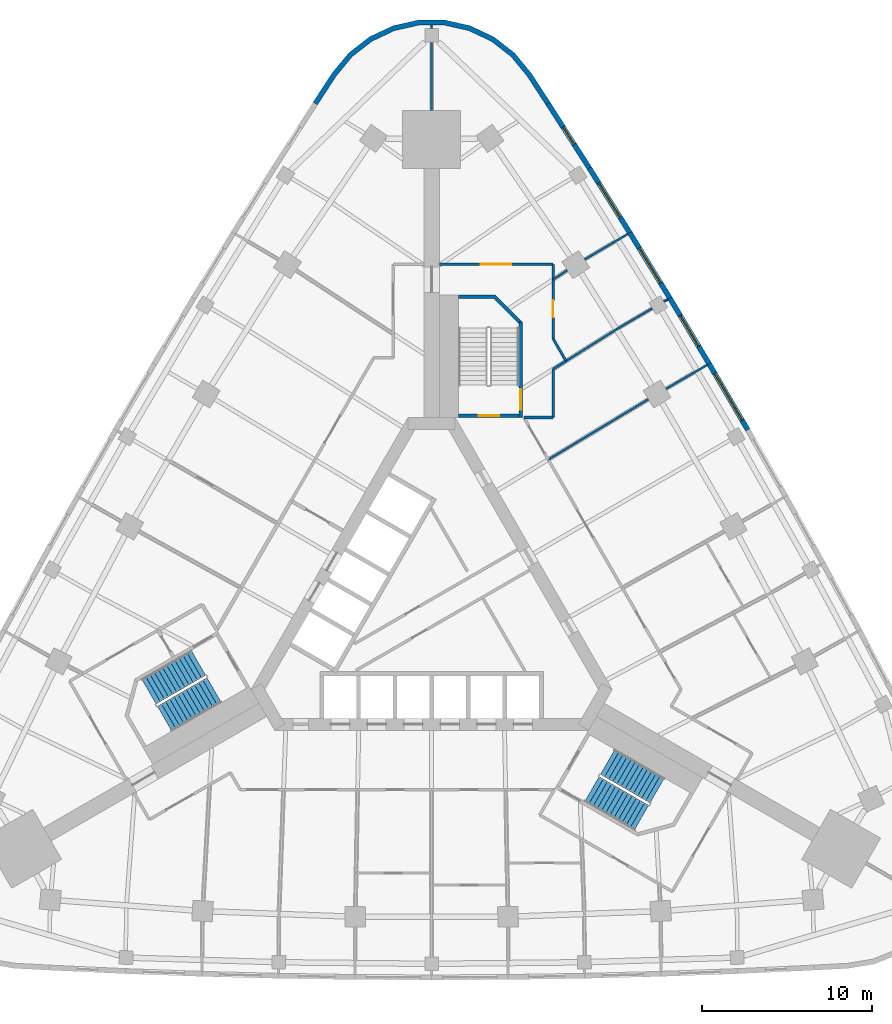
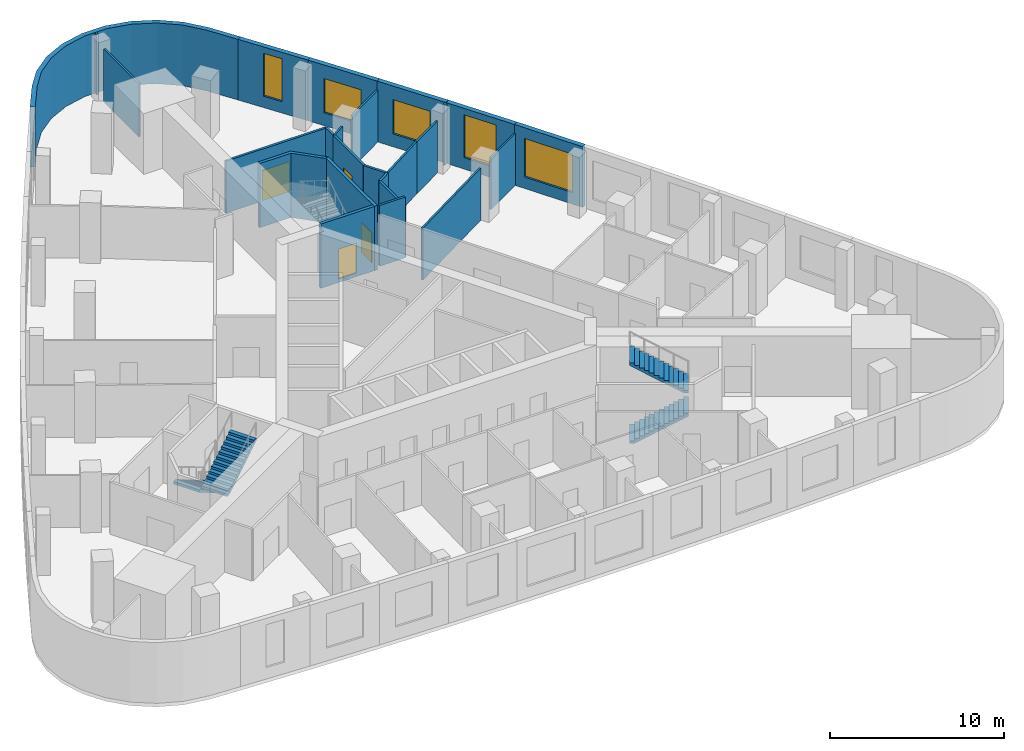
# One storey, part 9 of 11: 25 walls, 5 windows, 4 doors, 4 stair flights, 9 openings, 2 elements without a shape of their own.
"""IFC4 building model written with IfcOpenShell, lengths in metres."""

from ifc_helpers import new_model, si_unit, direction, frame, frame_2d, origin, place, context, subcontext, project, spatial, polyline, rectangle, outline, extrude, material, layer, layer_set, type_object, element, fill, aggregate, save


model = new_model("IFC4")

# Units and contexts
model_context = context("Model", 3, precision=1e-05, world=origin(), true_north=direction((0.0, 1.0)))
body_context = subcontext(model_context, "Body", "Model", "MODEL_VIEW")
ifc_project = project(units=[si_unit("LENGTHUNIT", "METRE"), si_unit("AREAUNIT", "SQUARE_METRE"), si_unit("VOLUMEUNIT", "CUBIC_METRE"), si_unit("PLANEANGLEUNIT", "RADIAN"), si_unit("MASSUNIT", "GRAM", prefix="KILO")], contexts=[model_context])

# Site, building, storey
site_placement = place(None, origin())
site = spatial("IfcSite", under=ifc_project, at=site_placement, CompositionType="ELEMENT")
building_placement = place(site_placement, origin())
building = spatial("IfcBuilding", under=site, at=building_placement, Name="Noor Cloister Tower", CompositionType="ELEMENT")
storey_placement = place(building_placement, frame((0.0, 0.0, 15.0)))
storey = spatial("IfcBuildingStorey", under=building, at=storey_placement, Name="L03", CompositionType="ELEMENT", Elevation=15.0)

# Walls
ifc_material_1 = material(Name="Plasterboard on steel studs", Category="steel")
ifc_layer_1 = layer(ifc_material_1, 0.14990234375)
ifc_layer_set_1 = layer_set([ifc_layer_1], Name="Corridor wall 150")
wall_type_1 = type_object("IfcWallType", Name="Corridor wall 150", PredefinedType="PARTITIONING", material=ifc_layer_set_1)
wall_1_placement = place(storey_placement, frame((5.427001953125, 11.4560546875, 0.0), z_axis=(0.0, 0.0, 1.0), x_axis=(1.0, 0.0, 0.0)))
element("IfcWall", 1, at=wall_1_placement, inside=storey, type_object=wall_type_1, Name="Partition", PredefinedType="PARTITIONING", context=body_context, shape_type="SweptSolid", body=[
    extrude(rectangle(XDim=1.7080078125, YDim=0.14990234375, at=frame_2d((0.85400390625, 0.0))), origin(), (0.0, 0.0, 1.0), 4.25),
])
wall_2_placement = place(storey_placement, frame((7.135986328125, 11.45703125, 0.0), z_axis=(0.0, 0.0, 1.0), x_axis=(0.0, 1.0, 0.0)))
element("IfcWall", 2, at=wall_2_placement, inside=storey, type_object=wall_type_1, Name="Partition", PredefinedType="PARTITIONING", context=body_context, shape_type="SweptSolid", body=[
    extrude(rectangle(XDim=2.840087890625, YDim=0.14990234375, at=frame_2d((1.419921875, 0.0))), origin(), (0.0, 0.0, 1.0), 3.637939453125),
])
wall_3_placement = place(storey_placement, frame((7.135986328125, 14.297119140625, 0.0), z_axis=(0.0, 0.0, 1.0), x_axis=(0.846935212822, 0.531696102377, 0.0)))
element("IfcWall", 3, at=wall_3_placement, inside=storey, type_object=wall_type_1, Name="Partition", PredefinedType="PARTITIONING", context=body_context, shape_type="SweptSolid", body=[
    extrude(rectangle(XDim=0.904541015625, YDim=0.14990234375, at=frame_2d((0.4521484375, 0.0))), origin(), (0.0, 0.0, 1.0), 3.637939453125),
])
wall_4_placement = place(storey_placement, frame((7.89892578125, 14.77587890625, 0.0), z_axis=(0.0, 0.0, 1.0), x_axis=(-0.500392307633, 0.865798786359, 0.0)))
element("IfcWall", 4, at=wall_4_placement, inside=storey, type_object=wall_type_1, Name="Partition", PredefinedType="PARTITIONING", context=body_context, shape_type="SweptSolid", body=[
    extrude(rectangle(XDim=1.524658203125, YDim=0.14990234375, at=frame_2d((0.76220703125, 0.0))), origin(), (0.0, 0.0, 1.0), 3.637939453125),
])

# Wall, opening, door
wall_5_placement = place(storey_placement, frame((7.135986328125, 16.095947265625, 0.0), z_axis=(0.0, 0.0, 1.0), x_axis=(0.0, 1.0, 0.0)))
wall_5 = element("IfcWall", 5, at=wall_5_placement, inside=storey, type_object=wall_type_1, Name="Partition", PredefinedType="PARTITIONING", context=body_context, shape_type="SweptSolid", body=[
    extrude(rectangle(XDim=3.467041015625, YDim=0.14990234375, at=frame_2d((1.7333984375, 0.0))), origin(), (0.0, 0.0, 1.0), 3.637939453125),
])
opening_1_placement = place(wall_5_placement, frame((1.25, 0.0, 0.0)))
opening_1 = element("IfcOpeningElement", 6, at=opening_1_placement, cuts=wall_5, Name="Opening L03-023", PredefinedType="OPENING", context=body_context, shape_type="SweptSolid", body=[
    extrude(rectangle(XDim=1.0, YDim=2.10009765625, at=frame_2d((0.5, 1.050048828125))), frame((0.0, 0.0849609375, 0.0), z_axis=(0.0, -1.0, 0.0), x_axis=(1.0, 0.0, 0.0)), (0.0, 0.0, 1.0), 0.169921875),
])
ifc_material_2 = material(Name="Timber door leaf", Category="wood")
door_type_1 = type_object("IfcDoorType", Name="Clinic room door 1000", OperationType="SINGLE_SWING_LEFT", PredefinedType="DOOR", material=ifc_material_2)
door_1_placement = place(opening_1_placement, origin())
door_1 = element("IfcDoor", 7, at=door_1_placement, inside=storey, type_object=door_type_1, Name="Door L03-023", OperationType="SINGLE_SWING_LEFT", OverallHeight=2.10009765625, OverallWidth=1.0, PredefinedType="DOOR", context=body_context, shape_type="SweptSolid", body=[
    extrude(rectangle(XDim=1.0, YDim=2.10009765625, at=frame_2d((0.5, 1.050048828125))), frame((0.0, 0.02490234375, 0.0), z_axis=(0.0, -1.0, 0.0), x_axis=(1.0, 0.0, 0.0)), (0.0, 0.0, 1.0), 0.050048828125),
])
fill(opening_1, door_1)

# Wall
wall_6_placement = place(storey_placement, frame((7.135986328125, 19.56298828125, 0.0), z_axis=(0.0, 0.0, 1.0), x_axis=(0.0, 1.0, 0.0)))
element("IfcWall", 8, at=wall_6_placement, inside=storey, type_object=wall_type_1, Name="Partition", PredefinedType="PARTITIONING", context=body_context, shape_type="SweptSolid", body=[
    extrude(rectangle(XDim=0.89306640625, YDim=0.14990234375, at=frame_2d((0.446533203125, 0.0))), origin(), (0.0, 0.0, 1.0), 3.637939453125),
])

# Wall, opening, door
wall_7_placement = place(storey_placement, frame((7.135986328125, 20.4560546875, 0.0), z_axis=(0.0, 0.0, 1.0), x_axis=(-1.0, 0.0, 0.0)))
wall_7 = element("IfcWall", 9, at=wall_7_placement, inside=storey, type_object=wall_type_1, Name="Partition", PredefinedType="PARTITIONING", context=body_context, shape_type="SweptSolid", body=[
    extrude(rectangle(XDim=6.68603515625, YDim=0.14990234375, at=frame_2d((3.343017578125, 0.0))), origin(), (0.0, 0.0, 1.0), 3.637939453125),
])
opening_2_placement = place(wall_7_placement, frame((2.449951171875, 0.0, 0.0)))
opening_2 = element("IfcOpeningElement", 10, at=opening_2_placement, cuts=wall_7, Name="Opening L03-025", PredefinedType="OPENING", context=body_context, shape_type="SweptSolid", body=[
    extrude(rectangle(XDim=1.800048828125, YDim=2.10009765625, at=frame_2d((0.89990234375, 1.050048828125))), frame((0.0, 0.0849609375, 0.0), z_axis=(0.0, -1.0, 0.0), x_axis=(1.0, 0.0, 0.0)), (0.0, 0.0, 1.0), 0.169921875),
])
ifc_material_3 = material(Name="Timber door leaf", Category="wood")
door_type_2 = type_object("IfcDoorType", Name="Double leaf door 1800", OperationType="DOUBLE_DOOR_SINGLE_SWING", PredefinedType="DOOR", material=ifc_material_3)
door_2_placement = place(opening_2_placement, origin())
door_2 = element("IfcDoor", 11, at=door_2_placement, inside=storey, type_object=door_type_2, Name="Door L03-025", OperationType="DOUBLE_DOOR_SINGLE_SWING", OverallHeight=2.10009765625, OverallWidth=1.800048828125, PredefinedType="DOOR", context=body_context, shape_type="SweptSolid", body=[
    extrude(rectangle(XDim=1.800048828125, YDim=2.10009765625, at=frame_2d((0.89990234375, 1.050048828125))), frame((0.0, 0.02490234375, 0.0), z_axis=(0.0, -1.0, 0.0), x_axis=(1.0, 0.0, 0.0)), (0.0, 0.0, 1.0), 0.050048828125),
])
fill(opening_2, door_2)

# Wall
ifc_material_4 = material(Name="Limestone", Category="masonry")
ifc_layer_2 = layer(ifc_material_4, 0.300048828125)
ifc_layer_set_2 = layer_set([ifc_layer_2], Name="Limestone cladding 300")
wall_type_2 = type_object("IfcWallType", Name="Limestone cladding 300", PredefinedType="NOTDEFINED", material=ifc_layer_set_2)
wall_8_placement = place(storey_placement, origin())
element("IfcWall", 12, at=wall_8_placement, inside=storey, type_object=wall_type_2, Name="Limestone pier cladding L03 3.1", PredefinedType="NOTDEFINED", context=body_context, shape_type="SweptSolid", body=[
    extrude(outline(polyline([(6.96728515625, 29.991943359375), (5.85693359375, 31.69677734375), (4.877685546875, 32.884033203125), (3.662841796875, 33.828369140625), (2.27099609375, 34.484619140625), (0.769287109375, 34.82080078125), (-0.769287109375, 34.82080078125), (-2.27099609375, 34.484619140625), (-3.662841796875, 33.828369140625), (-4.877685546875, 32.884033203125), (-5.85693359375, 31.69677734375), (-6.96728515625, 29.991943359375), (-6.7158203125, 29.828125), (-5.61474609375, 31.51904296875), (-4.667236328125, 32.66748046875), (-3.5048828125, 33.571044921875), (-2.173095703125, 34.198974609375), (-0.736328125, 34.520751953125), (0.736328125, 34.520751953125), (2.173095703125, 34.198974609375), (3.5048828125, 33.571044921875), (4.667236328125, 32.66748046875), (5.61474609375, 31.51904296875), (6.7158203125, 29.828125), (6.96728515625, 29.991943359375)])), origin(), (0.0, 0.0, 1.0), 4.25),
])

# Wall, opening, window
ifc_material_5 = material(Name="Limestone", Category="masonry")
ifc_layer_3 = layer(ifc_material_5, 0.300048828125)
ifc_layer_set_3 = layer_set([ifc_layer_3], Name="Limestone panel wall 300")
wall_type_3 = type_object("IfcWallType", Name="Limestone panel wall 300", PredefinedType="NOTDEFINED", material=ifc_layer_set_3)
wall_9_placement = place(storey_placement, frame((16.31396484375, 14.61181640625, 0.0), z_axis=(0.0, 0.0, 1.0), x_axis=(0.50445499627, -0.86343798662, 0.0)))
wall_9 = element("IfcWall", 13, at=wall_9_placement, inside=storey, type_object=wall_type_3, Name="Limestone wall L03 NE 6", PredefinedType="NOTDEFINED", context=body_context, shape_type="SweptSolid", body=[
    extrude(rectangle(XDim=4.49609375, YDim=0.300048828125, at=frame_2d((2.248046875, 0.0))), origin(), (0.0, 0.0, 1.0), 4.25),
])
opening_3_placement = place(wall_9_placement, frame((0.64794921875, 0.0, 0.800048828125)))
opening_3 = element("IfcOpeningElement", 14, at=opening_3_placement, cuts=wall_9, Name="Opening L03-W26", PredefinedType="OPENING", context=body_context, shape_type="SweptSolid", body=[
    extrude(rectangle(XDim=3.199951171875, YDim=2.699951171875, at=frame_2d((1.60009765625, 1.35009765625))), frame((0.0, 0.16015625, 0.0), z_axis=(0.0, -1.0, 0.0), x_axis=(1.0, 0.0, 0.0)), (0.0, 0.0, 1.0), 0.320068359375),
])
ifc_material_6 = material(Name="Aluminium 6063-T6 anodised", Category="aluminium")
window_type_1 = type_object("IfcWindowType", Name="Waiting room window 3200 x 2700", PartitioningType="TRIPLE_PANEL_VERTICAL", PredefinedType="WINDOW", material=ifc_material_6)
window_1_placement = place(opening_3_placement, origin())
window_1 = element("IfcWindow", 15, at=window_1_placement, inside=storey, type_object=window_type_1, Name="Window L03 26", OverallHeight=2.699951171875, OverallWidth=3.199951171875, PartitioningType="TRIPLE_PANEL_VERTICAL", PredefinedType="WINDOW", context=body_context, shape_type="SweptSolid", body=[
    extrude(rectangle(XDim=3.199951171875, YDim=2.699951171875, at=frame_2d((1.60009765625, 1.35009765625))), frame((0.0, 0.030029296875, 0.0), z_axis=(0.0, -1.0, 0.0), x_axis=(1.0, 0.0, 0.0)), (0.0, 0.0, 1.0), 0.06005859375),
])
fill(opening_3, window_1)

wall_10_placement = place(storey_placement, frame((14.005126953125, 18.472412109375, 0.0), z_axis=(0.0, 0.0, 1.0), x_axis=(0.513257465408, -0.858234684805, 0.0)))
wall_10 = element("IfcWall", 16, at=wall_10_placement, inside=storey, type_object=wall_type_3, Name="Limestone wall L03 NE 7", PredefinedType="NOTDEFINED", context=body_context, shape_type="SweptSolid", body=[
    extrude(rectangle(XDim=4.49609375, YDim=0.300048828125, at=frame_2d((2.248046875, 0.0))), origin(), (0.0, 0.0, 1.0), 4.25),
])
opening_4_placement = place(wall_10_placement, frame((1.197998046875, 0.0, 0.800048828125)))
opening_4 = element("IfcOpeningElement", 17, at=opening_4_placement, cuts=wall_10, Name="Opening L03-W27", PredefinedType="OPENING", context=body_context, shape_type="SweptSolid", body=[
    extrude(rectangle(XDim=2.10009765625, YDim=3.0, at=frame_2d((1.050048828125, 1.5))), frame((0.0, 0.16015625, 0.0), z_axis=(0.0, -1.0, 0.0), x_axis=(1.0, 0.0, 0.0)), (0.0, 0.0, 1.0), 0.320068359375),
])
ifc_material_7 = material(Name="Aluminium 6063-T6 anodised", Category="aluminium")
window_type_2 = type_object("IfcWindowType", Name="Therapy window 2100 x 3000", PartitioningType="DOUBLE_PANEL_HORIZONTAL", PredefinedType="WINDOW", material=ifc_material_7)
window_2_placement = place(opening_4_placement, origin())
window_2 = element("IfcWindow", 18, at=window_2_placement, inside=storey, type_object=window_type_2, Name="Window L03 27", OverallHeight=3.0, OverallWidth=2.10009765625, PartitioningType="DOUBLE_PANEL_HORIZONTAL", PredefinedType="WINDOW", context=body_context, shape_type="SweptSolid", body=[
    extrude(rectangle(XDim=2.10009765625, YDim=3.0, at=frame_2d((1.050048828125, 1.5))), frame((0.0, 0.030029296875, 0.0), z_axis=(0.0, -1.0, 0.0), x_axis=(1.0, 0.0, 0.0)), (0.0, 0.0, 1.0), 0.06005859375),
])
fill(opening_4, window_2)

wall_11_placement = place(storey_placement, frame((11.656494140625, 22.30908203125, 0.0), z_axis=(0.0, 0.0, 1.0), x_axis=(0.522078085402, -0.852897691838, 0.0)))
wall_11 = element("IfcWall", 19, at=wall_11_placement, inside=storey, type_object=wall_type_3, Name="Limestone wall L03 NE 8", PredefinedType="NOTDEFINED", context=body_context, shape_type="SweptSolid", body=[
    extrude(rectangle(XDim=4.495849609375, YDim=0.300048828125, at=frame_2d((2.248046875, 0.0))), origin(), (0.0, 0.0, 1.0), 4.25),
])
opening_5_placement = place(wall_11_placement, frame((1.048095703125, 0.0, 0.89990234375)))
opening_5 = element("IfcOpeningElement", 20, at=opening_5_placement, cuts=wall_11, Name="Opening L03-W28", PredefinedType="OPENING", context=body_context, shape_type="SweptSolid", body=[
    extrude(rectangle(XDim=2.39990234375, YDim=2.39990234375, at=frame_2d((1.199951171875, 1.199951171875))), frame((0.0, 0.16015625, 0.0), z_axis=(0.0, -1.0, 0.0), x_axis=(1.0, 0.0, 0.0)), (0.0, 0.0, 1.0), 0.320068359375),
])
ifc_material_8 = material(Name="Aluminium 6063-T6 anodised", Category="aluminium")
window_type_3 = type_object("IfcWindowType", Name="Clinic window 2400 x 2400", PartitioningType="DOUBLE_PANEL_VERTICAL", PredefinedType="WINDOW", material=ifc_material_8)
window_3_placement = place(opening_5_placement, origin())
window_3 = element("IfcWindow", 21, at=window_3_placement, inside=storey, type_object=window_type_3, Name="Window L03 28", OverallHeight=2.39990234375, OverallWidth=2.39990234375, PartitioningType="DOUBLE_PANEL_VERTICAL", PredefinedType="WINDOW", context=body_context, shape_type="SweptSolid", body=[
    extrude(rectangle(XDim=2.39990234375, YDim=2.39990234375, at=frame_2d((1.199951171875, 1.199951171875))), frame((0.0, 0.030029296875, 0.0), z_axis=(0.0, -1.0, 0.0), x_axis=(1.0, 0.0, 0.0)), (0.0, 0.0, 1.0), 0.06005859375),
])
fill(opening_5, window_3)

wall_12_placement = place(storey_placement, frame((9.268798828125, 26.12158203125, 0.0), z_axis=(0.0, 0.0, 1.0), x_axis=(0.530804082031, -0.847494558389, 0.0)))
wall_12 = element("IfcWall", 22, at=wall_12_placement, inside=storey, type_object=wall_type_3, Name="Limestone wall L03 NE 9", PredefinedType="NOTDEFINED", context=body_context, shape_type="SweptSolid", body=[
    extrude(rectangle(XDim=4.495849609375, YDim=0.300048828125, at=frame_2d((2.248046875, 0.0))), origin(), (0.0, 0.0, 1.0), 4.25),
])
opening_6_placement = place(wall_12_placement, frame((1.048095703125, 0.0, 0.89990234375)))
opening_6 = element("IfcOpeningElement", 23, at=opening_6_placement, cuts=wall_12, Name="Opening L03-W29", PredefinedType="OPENING", context=body_context, shape_type="SweptSolid", body=[
    extrude(rectangle(XDim=2.39990234375, YDim=2.39990234375, at=frame_2d((1.199951171875, 1.199951171875))), frame((0.0, 0.16015625, 0.0), z_axis=(0.0, -1.0, 0.0), x_axis=(1.0, 0.0, 0.0)), (0.0, 0.0, 1.0), 0.320068359375),
])
window_4_placement = place(opening_6_placement, origin())
window_4 = element("IfcWindow", 24, at=window_4_placement, inside=storey, type_object=window_type_3, Name="Window L03 29", OverallHeight=2.39990234375, OverallWidth=2.39990234375, PartitioningType="DOUBLE_PANEL_VERTICAL", PredefinedType="WINDOW", context=body_context, shape_type="SweptSolid", body=[
    extrude(rectangle(XDim=2.39990234375, YDim=2.39990234375, at=frame_2d((1.199951171875, 1.199951171875))), frame((0.0, 0.030029296875, 0.0), z_axis=(0.0, -1.0, 0.0), x_axis=(1.0, 0.0, 0.0)), (0.0, 0.0, 1.0), 0.06005859375),
])
fill(opening_6, window_4)

wall_13_placement = place(storey_placement, frame((6.842041015625, 29.9091796875, 0.0), z_axis=(0.0, 0.0, 1.0), x_axis=(0.539483537275, -0.841996147859, 0.0)))
wall_13 = element("IfcWall", 25, at=wall_13_placement, inside=storey, type_object=wall_type_3, Name="Limestone wall L03 NE 10", PredefinedType="NOTDEFINED", context=body_context, shape_type="SweptSolid", body=[
    extrude(rectangle(XDim=4.49609375, YDim=0.300048828125, at=frame_2d((2.248046875, 0.0))), origin(), (0.0, 0.0, 1.0), 4.25),
])
opening_7_placement = place(wall_13_placement, frame((1.64794921875, 0.0, 0.800048828125)))
opening_7 = element("IfcOpeningElement", 26, at=opening_7_placement, cuts=wall_13, Name="Opening L03-W30", PredefinedType="OPENING", context=body_context, shape_type="SweptSolid", body=[
    extrude(rectangle(XDim=1.199951171875, YDim=3.0, at=frame_2d((0.60009765625, 1.5))), frame((0.0, 0.16015625, 0.0), z_axis=(0.0, -1.0, 0.0), x_axis=(1.0, 0.0, 0.0)), (0.0, 0.0, 1.0), 0.320068359375),
])
ifc_material_9 = material(Name="Aluminium 6063-T6 anodised", Category="aluminium")
window_type_4 = type_object("IfcWindowType", Name="Lancet window 1200 x 3000", PartitioningType="SINGLE_PANEL", PredefinedType="WINDOW", material=ifc_material_9)
window_5_placement = place(opening_7_placement, origin())
window_5 = element("IfcWindow", 27, at=window_5_placement, inside=storey, type_object=window_type_4, Name="Window L03 30", OverallHeight=3.0, OverallWidth=1.199951171875, PartitioningType="SINGLE_PANEL", PredefinedType="WINDOW", context=body_context, shape_type="SweptSolid", body=[
    extrude(rectangle(XDim=1.199951171875, YDim=3.0, at=frame_2d((0.60009765625, 1.5))), frame((0.0, 0.030029296875, 0.0), z_axis=(0.0, -1.0, 0.0), x_axis=(1.0, 0.0, 0.0)), (0.0, 0.0, 1.0), 0.06005859375),
])
fill(opening_7, window_5)

# Walls
ifc_material_10 = material(Name="Plasterboard on steel studs", Category="steel")
ifc_layer_4 = layer(ifc_material_10, 0.1201171875)
ifc_layer_set_4 = layer_set([ifc_layer_4], Name="Partition wall 120")
wall_type_4 = type_object("IfcWallType", Name="Partition wall 120", PredefinedType="PARTITIONING", material=ifc_layer_set_4)
wall_14_placement = place(storey_placement, frame((12.736083984375, 12.52392578125, 0.0), z_axis=(0.0, 0.0, 1.0), x_axis=(-0.8565972601, -0.515985594749, 0.0)))
element("IfcWall", 28, at=wall_14_placement, inside=storey, type_object=wall_type_4, Name="Partition", PredefinedType="PARTITIONING", context=body_context, shape_type="SweptSolid", body=[
    extrude(rectangle(XDim=6.864501953125, YDim=0.1201171875, at=frame_2d((3.43212890625, 0.0))), origin(), (0.0, 0.0, 1.0), 3.637939453125),
])
wall_15_placement = place(storey_placement, frame((16.18310546875, 14.5380859375, 0.0), z_axis=(0.0, 0.0, 1.0), x_axis=(-0.864576979504, -0.50250039454, 0.0)))
element("IfcWall", 29, at=wall_15_placement, inside=storey, type_object=wall_type_4, Name="Partition", PredefinedType="PARTITIONING", context=body_context, shape_type="SweptSolid", body=[
    extrude(rectangle(XDim=2.792236328125, YDim=0.1201171875, at=frame_2d((1.39599609375, 0.0))), origin(), (0.0, 0.0, 1.0), 3.633056640625),
])
wall_16_placement = place(storey_placement, frame((12.968017578125, 17.868896484375, 0.0), z_axis=(0.0, 0.0, 1.0), x_axis=(-0.863161652457, -0.504927679701, 0.0)))
element("IfcWall", 30, at=wall_16_placement, inside=storey, type_object=wall_type_4, Name="Partition", PredefinedType="PARTITIONING", context=body_context, shape_type="SweptSolid", body=[
    extrude(rectangle(XDim=2.398193359375, YDim=0.1201171875, at=frame_2d((1.19921875, 0.0))), origin(), (0.0, 0.0, 1.0), 3.637939453125),
])
wall_17_placement = place(storey_placement, frame((10.89794921875, 16.657958984375, 0.0), z_axis=(0.0, 0.0, 1.0), x_axis=(-0.846864700387, -0.531808404634, 0.0)))
element("IfcWall", 31, at=wall_17_placement, inside=storey, type_object=wall_type_4, Name="Partition", PredefinedType="PARTITIONING", context=body_context, shape_type="SweptSolid", body=[
    extrude(rectangle(XDim=3.5390625, YDim=0.1201171875, at=frame_2d((1.76953125, 0.0))), origin(), (0.0, 0.0, 1.0), 3.637939453125),
])
wall_18_placement = place(storey_placement, frame((13.8740234375, 18.39892578125, 0.0), z_axis=(0.0, 0.0, 1.0), x_axis=(-0.863885093979, -0.503688936151, 0.0)))
element("IfcWall", 32, at=wall_18_placement, inside=storey, type_object=wall_type_4, Name="Partition", PredefinedType="PARTITIONING", context=body_context, shape_type="SweptSolid", body=[
    extrude(rectangle(XDim=0.25, YDim=0.1201171875, at=frame_2d((0.125, 0.0))), origin(), (0.0, 0.0, 1.0), 4.25),
])
wall_19_placement = place(storey_placement, frame((7.972900390625, 20.10888671875, 0.0), z_axis=(0.0, 0.0, 1.0), x_axis=(-0.836986858992, -0.547222987341, 0.0)))
element("IfcWall", 33, at=wall_19_placement, inside=storey, type_object=wall_type_4, Name="Partition", PredefinedType="PARTITIONING", context=body_context, shape_type="SweptSolid", body=[
    extrude(rectangle(XDim=0.99755859375, YDim=0.1201171875, at=frame_2d((0.498779296875, 0.0))), origin(), (0.0, 0.0, 1.0), 3.637939453125),
])
wall_20_placement = place(storey_placement, frame((11.52392578125, 22.237060546875, 0.0), z_axis=(0.0, 0.0, 1.0), x_axis=(-0.861228913487, -0.508217235613, 0.0)))
element("IfcWall", 34, at=wall_20_placement, inside=storey, type_object=wall_type_4, Name="Partition", PredefinedType="PARTITIONING", context=body_context, shape_type="SweptSolid", body=[
    extrude(rectangle(XDim=2.93994140625, YDim=0.1201171875, at=frame_2d((1.469970703125, 0.0))), origin(), (0.0, 0.0, 1.0), 3.633056640625),
])
wall_21_placement = place(storey_placement, frame((0.0, 29.489013671875, 0.0), z_axis=(0.0, 0.0, 1.0), x_axis=(0.0, 1.0, 0.0)))
element("IfcWall", 35, at=wall_21_placement, inside=storey, type_object=wall_type_4, Name="Partition", PredefinedType="PARTITIONING", context=body_context, shape_type="SweptSolid", body=[
    extrude(rectangle(XDim=4.02392578125, YDim=0.1201171875, at=frame_2d((2.011962890625, 0.0))), origin(), (0.0, 0.0, 1.0), 3.717041015625),
])
wall_22_placement = place(storey_placement, frame((0.0, 34.31298828125, 0.0), z_axis=(0.0, 0.0, 1.0), x_axis=(0.0, 1.0, 0.0)))
element("IfcWall", 36, at=wall_22_placement, inside=storey, type_object=wall_type_4, Name="Partition", PredefinedType="PARTITIONING", context=body_context, shape_type="SweptSolid", body=[
    extrude(rectangle(XDim=0.2080078125, YDim=0.1201171875, at=frame_2d((0.10400390625, 0.0))), origin(), (0.0, 0.0, 1.0), 4.25),
])

# Wall, opening, door
ifc_material_11 = material(Name="Concrete C80/95", Category="concrete")
ifc_layer_5 = layer(ifc_material_11, 0.199951171875)
ifc_layer_set_5 = layer_set([ifc_layer_5], Name="Stair enclosure wall 200 C80/95")
wall_type_5 = type_object("IfcWallType", Name="Stair enclosure wall 200 C80/95", PredefinedType="SHEAR", material=ifc_layer_set_5)
wall_23_placement = place(storey_placement, frame((5.135498046875, 11.556396484375, -0.25), z_axis=(0.0, 0.0, 1.0), x_axis=(-1.0, 0.0, 0.0)))
wall_23 = element("IfcWall", 37, at=wall_23_placement, inside=storey, type_object=wall_type_5, Name="Stair enclosure wall ST1 L03 near end", PredefinedType="SHEAR", context=body_context, shape_type="SweptSolid", body=[
    extrude(rectangle(XDim=3.5498046875, YDim=0.199951171875, at=frame_2d((1.77490234375, 0.0))), origin(), (0.0, 0.0, 1.0), 4.5),
])
opening_8_placement = place(wall_23_placement, frame((1.175048828125, 0.0, 0.25)))
opening_8 = element("IfcOpeningElement", 38, at=opening_8_placement, cuts=wall_23, Name="Opening L03-ST1L", PredefinedType="OPENING", context=body_context, shape_type="SweptSolid", body=[
    extrude(rectangle(XDim=1.199951171875, YDim=2.10009765625, at=frame_2d((0.60009765625, 1.050048828125))), frame((0.0, 0.10986328125, 0.0), z_axis=(0.0, -1.0, 0.0), x_axis=(1.0, 0.0, 0.0)), (0.0, 0.0, 1.0), 0.219970703125),
])
ifc_material_12 = material(Name="Steel", Category="steel")
door_type_3 = type_object("IfcDoorType", Name="Stair door 1200 x 2100 FD120", OperationType="SINGLE_SWING_LEFT", PredefinedType="DOOR", material=ifc_material_12)
door_3_placement = place(opening_8_placement, origin())
door_3 = element("IfcDoor", 39, at=door_3_placement, inside=storey, type_object=door_type_3, Name="Stair door ST1 L03", OperationType="SINGLE_SWING_RIGHT", OverallHeight=2.10009765625, OverallWidth=1.199951171875, PredefinedType="DOOR", context=body_context, shape_type="SweptSolid", body=[
    extrude(rectangle(XDim=1.199951171875, YDim=2.10009765625, at=frame_2d((0.60009765625, 1.050048828125))), frame((0.0, 0.02490234375, 0.0), z_axis=(0.0, -1.0, 0.0), x_axis=(1.0, 0.0, 0.0)), (0.0, 0.0, 1.0), 0.050048828125),
])
fill(opening_8, door_3)

wall_24_placement = place(storey_placement, frame((5.235595703125, 11.456298828125, -0.25), z_axis=(0.0, 0.0, 1.0), x_axis=(0.0, 1.0, 0.0)))
wall_24 = element("IfcWall", 40, at=wall_24_placement, inside=storey, type_object=wall_type_5, Name="Stair enclosure wall ST1 L03 outer side", PredefinedType="SHEAR", context=body_context, shape_type="SweptSolid", body=[
    extrude(rectangle(XDim=5.60009765625, YDim=0.199951171875, at=frame_2d((2.800048828125, 0.0))), origin(), (0.0, 0.0, 1.0), 4.5),
])
opening_9_placement = place(wall_24_placement, frame((0.449951171875, 0.0, 0.25)))
opening_9 = element("IfcOpeningElement", 41, at=opening_9_placement, cuts=wall_24, Name="Opening L03-ST1C", PredefinedType="OPENING", context=body_context, shape_type="SweptSolid", body=[
    extrude(rectangle(XDim=1.199951171875, YDim=2.10009765625, at=frame_2d((0.60009765625, 1.050048828125))), frame((0.0, 0.10986328125, 0.0), z_axis=(0.0, -1.0, 0.0), x_axis=(1.0, 0.0, 0.0)), (0.0, 0.0, 1.0), 0.219970703125),
])
door_4_placement = place(opening_9_placement, origin())
door_4 = element("IfcDoor", 42, at=door_4_placement, inside=storey, type_object=door_type_3, Name="Stair door ST1 L03", OperationType="SINGLE_SWING_LEFT", OverallHeight=2.10009765625, OverallWidth=1.199951171875, PredefinedType="DOOR", context=body_context, shape_type="SweptSolid", body=[
    extrude(rectangle(XDim=1.199951171875, YDim=2.10009765625, at=frame_2d((0.60009765625, 1.050048828125))), frame((0.0, 0.02490234375, 0.0), z_axis=(0.0, -1.0, 0.0), x_axis=(1.0, 0.0, 0.0)), (0.0, 0.0, 1.0), 0.050048828125),
])
fill(opening_9, door_4)

# Wall
ifc_material_13 = material(Name="Concrete C80/95", Category="concrete")
wall_type_6 = type_object("IfcWallType", Name="Stair far end wall C80/95", PredefinedType="SHEAR", material=ifc_material_13)
wall_25_placement = place(storey_placement, frame((0.0, 0.0, -0.25)))
element("IfcWall", 43, at=wall_25_placement, inside=storey, type_object=wall_type_6, Name="Stair enclosure wall ST1 L03 far end", PredefinedType="SHEAR", context=body_context, shape_type="SweptSolid", body=[
    extrude(outline(polyline([(5.335693359375, 17.056396484375), (3.735595703125, 18.656494140625), (1.585693359375, 18.656494140625), (1.585693359375, 18.456298828125), (3.65283203125, 18.456298828125), (5.135498046875, 16.9736328125), (5.135498046875, 17.056396484375), (5.135498046875, 17.056396484375), (5.135498046875, 17.056396484375), (5.135498046875, 17.056396484375), (5.135498046875, 17.056396484375), (5.135498046875, 17.056396484375), (5.135498046875, 17.056396484375), (5.135498046875, 17.056396484375), (5.135498046875, 17.056396484375), (5.135498046875, 17.056396484375), (5.135498046875, 17.056396484375), (5.135498046875, 17.056396484375), (5.135498046875, 17.056396484375), (5.135498046875, 17.056396484375), (5.135498046875, 17.056396484375), (5.135498046875, 17.056396484375), (5.135498046875, 17.056396484375), (5.335693359375, 17.056396484375)])), origin(), (0.0, 0.0, 1.0), 4.5),
])

# Stair, stair flights
ifc_material_14 = material(Name="Concrete C40/50", Category="concrete")
stair_type = type_object("IfcStairType", Name="Exit stair 26 risers", PredefinedType="HALF_TURN_STAIR", material=ifc_material_14)
stair_1_placement = place(storey_placement, origin())
stair_1 = element("IfcStair", 44, at=stair_1_placement, inside=storey, type_object=stair_type, Name="Exit stair ST2 L03", PredefinedType="HALF_TURN_STAIR")
ifc_material_15 = material(Name="Concrete C40/50", Category="concrete")
stair_flight_type = type_object("IfcStairFlightType", Name="Exit stair flight", PredefinedType="STRAIGHT", material=ifc_material_15)
stair_flight_1_placement = place(storey_placement, frame((-13.709716796875, -2.966796875, 0.0), z_axis=(0.0, 0.0, 1.0), x_axis=(-0.866025403784, -0.5, 0.0)))
stair_flight_1 = element("IfcStairFlight", 45, at=stair_flight_1_placement, type_object=stair_flight_type, Name="ST2 flight 1", NumberOfRisers=13, NumberOfTreads=12, PredefinedType="STRAIGHT", RiserHeight=0.173076923, TreadLength=0.28, context=body_context, shape_type="SweptSolid", body=[
    extrude(outline(polyline([(0.0, 0.0), (0.0, 0.173095703125), (0.280029296875, 0.173095703125), (0.280029296875, 0.34619140625), (0.56005859375, 0.34619140625), (0.56005859375, 0.519287109375), (0.840087890625, 0.519287109375), (0.840087890625, 0.6923828125), (1.1201171875, 0.6923828125), (1.1201171875, 0.865478515625), (1.39990234375, 0.865478515625), (1.39990234375, 1.03857421875), (1.679931640625, 1.03857421875), (1.679931640625, 1.21142578125), (1.9599609375, 1.21142578125), (1.9599609375, 1.384521484375), (2.239990234375, 1.384521484375), (2.239990234375, 1.5576171875), (2.52001953125, 1.5576171875), (2.52001953125, 1.730712890625), (2.800048828125, 1.730712890625), (2.800048828125, 1.90380859375), (3.080078125, 1.90380859375), (3.080078125, 2.076904296875), (3.360107421875, 2.076904296875), (3.360107421875, 2.25), (3.360107421875, 1.900634765625), (0.28515625, 0.0), (0.0, 0.0)])), frame((0.0, 0.85009765625, 0.0), z_axis=(0.0, -1.0, 0.0), x_axis=(1.0, 0.0, 0.0)), (0.0, 0.0, 1.0), 1.699951171875),
])
stair_flight_2_placement = place(storey_placement, frame((-15.694580078125, -6.248779296875, 2.25), z_axis=(0.0, 0.0, 1.0), x_axis=(0.866025403784, 0.5, 0.0)))
stair_flight_2 = element("IfcStairFlight", 46, at=stair_flight_2_placement, type_object=stair_flight_type, Name="ST2 flight 2", NumberOfRisers=13, NumberOfTreads=12, PredefinedType="STRAIGHT", RiserHeight=0.173076923, TreadLength=0.28, context=body_context, shape_type="SweptSolid", body=[
    extrude(outline(polyline([(0.0, 0.0), (0.0, 0.173095703125), (0.280029296875, 0.173095703125), (0.280029296875, 0.34619140625), (0.56005859375, 0.34619140625), (0.56005859375, 0.519287109375), (0.840087890625, 0.519287109375), (0.840087890625, 0.6923828125), (1.1201171875, 0.6923828125), (1.1201171875, 0.865478515625), (1.39990234375, 0.865478515625), (1.39990234375, 1.03857421875), (1.679931640625, 1.03857421875), (1.679931640625, 1.21142578125), (1.9599609375, 1.21142578125), (1.9599609375, 1.384521484375), (2.239990234375, 1.384521484375), (2.239990234375, 1.5576171875), (2.52001953125, 1.5576171875), (2.52001953125, 1.730712890625), (2.800048828125, 1.730712890625), (2.800048828125, 1.90380859375), (3.080078125, 1.90380859375), (3.080078125, 2.076904296875), (3.360107421875, 2.076904296875), (3.360107421875, 2.25), (3.360107421875, 1.900634765625), (0.28515625, 0.0), (0.0, 0.0)])), frame((0.0, 0.85009765625, 0.0), z_axis=(0.0, -1.0, 0.0), x_axis=(1.0, 0.0, 0.0)), (0.0, 0.0, 1.0), 1.699951171875),
])
aggregate(stair_1, [stair_flight_1, stair_flight_2])

stair_2_placement = place(storey_placement, origin())
stair_2 = element("IfcStair", 47, at=stair_2_placement, inside=storey, type_object=stair_type, Name="Exit stair ST3 L03", PredefinedType="HALF_TURN_STAIR")
stair_flight_3_placement = place(storey_placement, frame((9.424072265625, -10.3896484375, 0.0), z_axis=(0.0, 0.0, 1.0), x_axis=(0.866025403784, -0.5, 0.0)))
stair_flight_3 = element("IfcStairFlight", 48, at=stair_flight_3_placement, type_object=stair_flight_type, Name="ST3 flight 1", NumberOfRisers=13, NumberOfTreads=12, PredefinedType="STRAIGHT", RiserHeight=0.173076923, TreadLength=0.28, context=body_context, shape_type="SweptSolid", body=[
    extrude(outline(polyline([(0.0, 0.0), (0.0, 0.173095703125), (0.280029296875, 0.173095703125), (0.280029296875, 0.34619140625), (0.56005859375, 0.34619140625), (0.56005859375, 0.519287109375), (0.840087890625, 0.519287109375), (0.840087890625, 0.6923828125), (1.1201171875, 0.6923828125), (1.1201171875, 0.865478515625), (1.39990234375, 0.865478515625), (1.39990234375, 1.03857421875), (1.679931640625, 1.03857421875), (1.679931640625, 1.21142578125), (1.9599609375, 1.21142578125), (1.9599609375, 1.384521484375), (2.239990234375, 1.384521484375), (2.239990234375, 1.5576171875), (2.52001953125, 1.5576171875), (2.52001953125, 1.730712890625), (2.800048828125, 1.730712890625), (2.800048828125, 1.90380859375), (3.080078125, 1.90380859375), (3.080078125, 2.076904296875), (3.360107421875, 2.076904296875), (3.360107421875, 2.25), (3.360107421875, 1.900634765625), (0.28515625, 0.0), (0.0, 0.0)])), frame((0.0, 0.85009765625, 0.0), z_axis=(0.0, -1.0, 0.0), x_axis=(1.0, 0.0, 0.0)), (0.0, 0.0, 1.0), 1.699951171875),
])
stair_flight_4_placement = place(storey_placement, frame((13.259033203125, -10.467529296875, 2.25), z_axis=(0.0, 0.0, 1.0), x_axis=(-0.866025403784, 0.5, 0.0)))
stair_flight_4 = element("IfcStairFlight", 49, at=stair_flight_4_placement, type_object=stair_flight_type, Name="ST3 flight 2", NumberOfRisers=13, NumberOfTreads=12, PredefinedType="STRAIGHT", RiserHeight=0.173076923, TreadLength=0.28, context=body_context, shape_type="SweptSolid", body=[
    extrude(outline(polyline([(0.0, 0.0), (0.0, 0.173095703125), (0.280029296875, 0.173095703125), (0.280029296875, 0.34619140625), (0.56005859375, 0.34619140625), (0.56005859375, 0.519287109375), (0.840087890625, 0.519287109375), (0.840087890625, 0.6923828125), (1.1201171875, 0.6923828125), (1.1201171875, 0.865478515625), (1.39990234375, 0.865478515625), (1.39990234375, 1.03857421875), (1.679931640625, 1.03857421875), (1.679931640625, 1.21142578125), (1.9599609375, 1.21142578125), (1.9599609375, 1.384521484375), (2.239990234375, 1.384521484375), (2.239990234375, 1.5576171875), (2.52001953125, 1.5576171875), (2.52001953125, 1.730712890625), (2.800048828125, 1.730712890625), (2.800048828125, 1.90380859375), (3.080078125, 1.90380859375), (3.080078125, 2.076904296875), (3.360107421875, 2.076904296875), (3.360107421875, 2.25), (3.360107421875, 1.900634765625), (0.28515625, 0.0), (0.0, 0.0)])), frame((0.0, 0.85009765625, 0.0), z_axis=(0.0, -1.0, 0.0), x_axis=(1.0, 0.0, 0.0)), (0.0, 0.0, 1.0), 1.699951171875),
])
aggregate(stair_2, [stair_flight_3, stair_flight_4])

save(model, "model.ifc")
